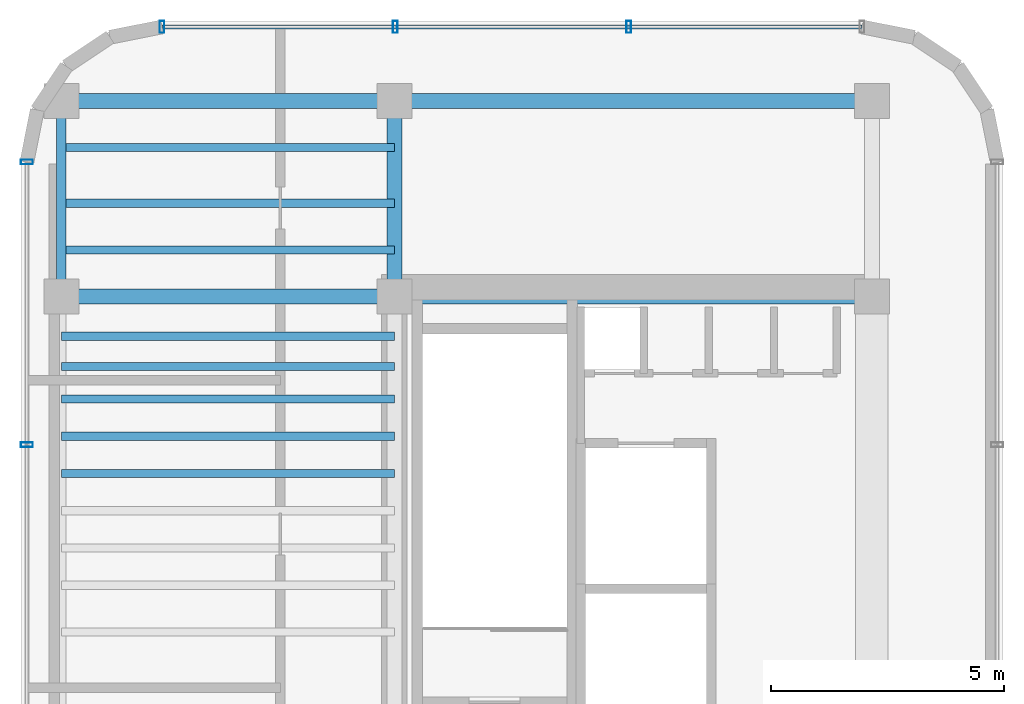
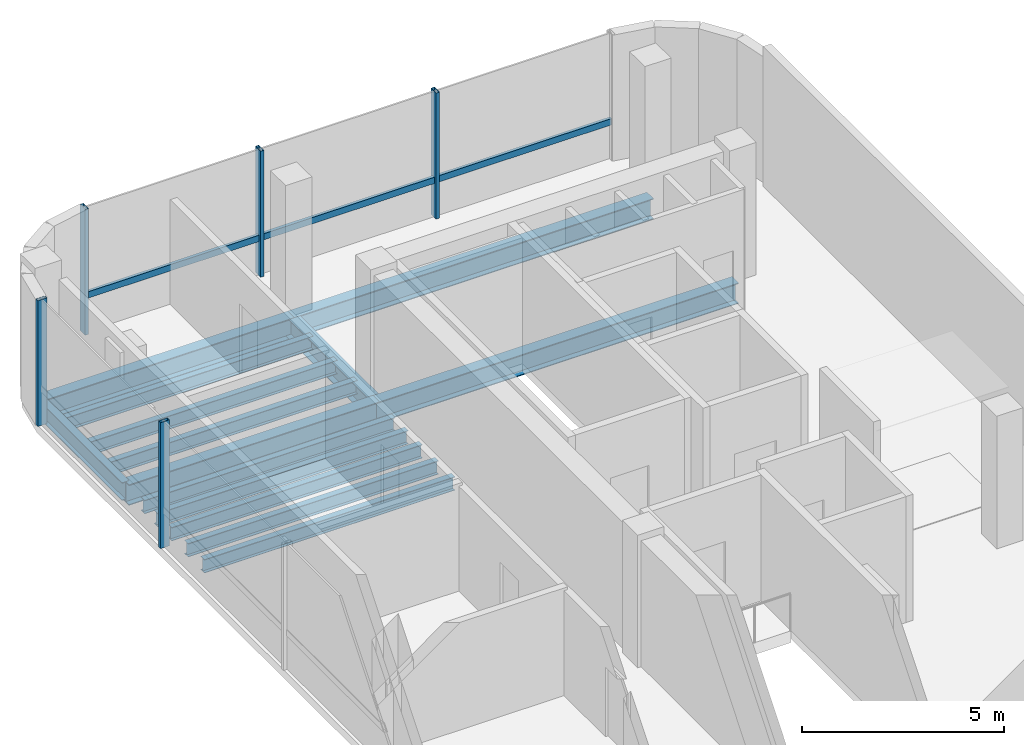
# One storey, part 7 of 11: 14 beams, 6 members, 2 elements without a shape of their own.
"""IFC4 building model written with IfcOpenShell, lengths in metres."""

from ifc_helpers import new_model, si_unit, direction, frame, origin, origin_2d, place, context, subcontext, project, spatial, hollow_rectangle, i_section, extrude, source, transform, mapped, material, material_profile, profile_set, type_object, element, aggregate, save


model = new_model("IFC4")

# Units and contexts
model_context = context("Model", 3, precision=1e-05, world=origin(), true_north=direction((0.0, 1.0)))
body_context = subcontext(model_context, "Body", "Model", "MODEL_VIEW")
ifc_project = project(units=[si_unit("LENGTHUNIT", "METRE"), si_unit("AREAUNIT", "SQUARE_METRE"), si_unit("VOLUMEUNIT", "CUBIC_METRE"), si_unit("PLANEANGLEUNIT", "RADIAN"), si_unit("MASSUNIT", "GRAM", prefix="KILO")], contexts=[model_context])

# Site, building, storey
site_placement = place(None, origin())
site = spatial("IfcSite", under=ifc_project, at=site_placement, CompositionType="ELEMENT")
building_placement = place(site_placement, origin())
building = spatial("IfcBuilding", under=site, at=building_placement, Name="Valdorenza Pilgrim Sanctuary Tower", CompositionType="ELEMENT")
storey_placement = place(building_placement, frame((0.0, 0.0, 303.60009765625)))
storey = spatial("IfcBuildingStorey", under=building, at=storey_placement, Name="L79", CompositionType="ELEMENT", Elevation=303.60009765625)

# Beams
ifc_material_1 = material(Name="Steel ASTM A992 Grade 50", Category="steel")
ifc_material_profile_1 = material_profile(ifc_material_1, i_section(OverallWidth=0.323974609375, OverallDepth=0.611083984375, WebThickness=0.0126953125, FlangeThickness=0.01904296875, at=origin_2d()), Name="W24X104")
ifc_profile_set_1 = profile_set([ifc_material_profile_1], Name="Steel ASTM A992 Grade 50")
beam_type_1 = type_object("IfcBeamType", Name="STR-BM-GRD-W24B", PredefinedType="BEAM", material=ifc_profile_set_1)
shared_shape_1 = source(origin(), body_context, "Body", "SweptSolid", [
    extrude(i_section(OverallWidth=0.323974609375, OverallDepth=0.611083984375, WebThickness=0.0126953125, FlangeThickness=0.01904296875, at=origin_2d()), origin(), (0.0, 0.0, 1.0), 4.199951171875),
])
beam_1_placement = place(storey_placement, frame((-22.64990234375, 10.60009765625, -0.545654296875), z_axis=(0.0, 1.0, 0.0), x_axis=(-1.0, 0.0, 0.0)))
element("IfcBeam", 1, at=beam_1_placement, inside=storey, type_object=beam_type_1, Name="L79 Core Tie Girder CA-W-N1N2", PredefinedType="BEAM", context=body_context, shape_type="MappedRepresentation", body=[
    mapped(shared_shape_1, transform((0.0, 0.0, 0.0), x_axis=(1.0, 0.0, 0.0), y_axis=(0.0, 1.0, 0.0), z_axis=(0.0, 0.0, 1.0), scale=1.0)),
])
ifc_material_profile_2 = material_profile(ifc_material_1, i_section(OverallWidth=0.2109375, OverallDepth=0.5390625, WebThickness=0.01171875, FlangeThickness=0.018798828125, at=origin_2d()), Name="W21X73")
ifc_profile_set_2 = profile_set([ifc_material_profile_2], Name="Steel ASTM A992 Grade 50")
beam_type_2 = type_object("IfcBeamType", Name="STR-BM-SPN-W21B", PredefinedType="SPANDREL", material=ifc_profile_set_2)
shared_shape_2 = source(origin(), body_context, "Body", "SweptSolid", [
    extrude(i_section(OverallWidth=0.2109375, OverallDepth=0.5390625, WebThickness=0.01171875, FlangeThickness=0.018798828125, at=origin_2d()), origin(), (0.0, 0.0, 1.0), 4.199951171875),
])
beam_2_placement = place(storey_placement, frame((-29.800048828125, 10.60009765625, -0.509521484375), z_axis=(0.0, 1.0, 0.0), x_axis=(-1.0, 0.0, 0.0)))
element("IfcBeam", 2, at=beam_2_placement, inside=storey, type_object=beam_type_2, Name="L79 Spandrel Beam WA-W-N1N2", PredefinedType="SPANDREL", context=body_context, shape_type="MappedRepresentation", body=[
    mapped(shared_shape_2, transform((0.0, 0.0, 0.0), x_axis=(1.0, 0.0, 0.0), y_axis=(0.0, 1.0, 0.0), z_axis=(0.0, 0.0, 1.0), scale=1.0)),
])
ifc_material_profile_3 = material_profile(ifc_material_1, i_section(OverallWidth=0.177978515625, OverallDepth=0.406005859375, WebThickness=0.0078125, FlangeThickness=0.0126953125, at=origin_2d()), Name="W16X40")
ifc_profile_set_3 = profile_set([ifc_material_profile_3], Name="Steel ASTM A992 Grade 50")
beam_type_3 = type_object("IfcBeamType", Name="STR-BM-JST-W16", PredefinedType="JOIST", material=ifc_profile_set_3)
shared_shape_3 = source(origin(), body_context, "Body", "SweptSolid", [
    extrude(i_section(OverallWidth=0.177978515625, OverallDepth=0.406005859375, WebThickness=0.0078125, FlangeThickness=0.0126953125, at=origin_2d()), origin(), (0.0, 0.0, 1.0), 7.150146484375),
])
for number, where, z_axis, x_axis, name in (
    (3, (-29.800048828125, 6.800048828125, -0.443115234375), (1.0, 0.0, 0.0), (0.0, 1.0, 0.0), "L79 Composite Floor Joist JST-WA-19"),
    (4, (-29.800048828125, 7.60009765625, -0.443115234375), (1.0, 0.0, 0.0), (0.0, 1.0, 0.0), "L79 Composite Floor Joist JST-WA-20"),
    (5, (-29.800048828125, 8.39990234375, -0.443115234375), (1.0, 0.0, 0.0), (0.0, 1.0, 0.0), "L79 Composite Floor Joist JST-WA-21"),
    (6, (-29.800048828125, 9.10009765625, -0.443115234375), (1.0, 0.0, 0.0), (0.0, 1.0, 0.0), "L79 Composite Floor Joist JST-WA-22"),
    (7, (-29.800048828125, 9.75, -0.443115234375), (1.0, 0.0, 0.0), (0.0, 1.0, 0.0), "L79 Composite Floor Joist JST-WA-23"),
    (8, (-29.800048828125, 11.60009765625, -0.443115234375), (1.0, 0.0, 0.0), (0.0, 1.0, 0.0), "L79 Composite Floor Joist JST-WA-24"),
    (9, (-29.800048828125, 12.60009765625, -0.443115234375), (1.0, 0.0, 0.0), (0.0, 1.0, 0.0), "L79 Composite Floor Joist JST-WA-25"),
    (10, (-29.800048828125, 13.800048828125, -0.443115234375), (1.0, 0.0, 0.0), (0.0, 1.0, 0.0), "L79 Composite Floor Joist JST-WA-26"),
):
    element("IfcBeam", number, at=place(storey_placement, frame(where, z_axis=z_axis, x_axis=x_axis)), inside=storey, type_object=beam_type_3, Name=name, PredefinedType="JOIST", context=body_context, shape_type="MappedRepresentation", body=[
        mapped(shared_shape_3, transform((0.0, 0.0, 0.0), x_axis=(1.0, 0.0, 0.0), y_axis=(0.0, 1.0, 0.0), z_axis=(0.0, 0.0, 1.0), scale=1.0)),
    ])
ifc_material_profile_4 = material_profile(ifc_material_1, i_section(OverallWidth=0.326904296875, OverallDepth=0.6220703125, WebThickness=0.015380859375, FlangeThickness=0.0244140625, at=origin_2d()), Name="W24X131")
ifc_profile_set_4 = profile_set([ifc_material_profile_4], Name="Steel ASTM A992 Grade 50")
beam_type_4 = type_object("IfcBeamType", Name="STR-BM-GRD-W24A", PredefinedType="BEAM", material=ifc_profile_set_4)
shared_shape_4 = source(origin(), body_context, "Body", "SweptSolid", [
    extrude(i_section(OverallWidth=0.326904296875, OverallDepth=0.6220703125, WebThickness=0.015380859375, FlangeThickness=0.0244140625, at=origin_2d()), origin(), (0.0, 0.0, 1.0), 7.150146484375),
])
for number, where, z_axis, x_axis, name in (
    (11, (-29.800048828125, 10.60009765625, -0.551025390625), (1.0, 0.0, 0.0), (0.0, 1.0, 0.0), "L79 Floor Girder WA-XW-N1"),
    (12, (-29.800048828125, 14.800048828125, -0.551025390625), (1.0, 0.0, 0.0), (0.0, 1.0, 0.0), "L79 Floor Girder WA-XW-N2"),
):
    element("IfcBeam", number, at=place(storey_placement, frame(where, z_axis=z_axis, x_axis=x_axis)), inside=storey, type_object=beam_type_4, Name=name, PredefinedType="BEAM", context=body_context, shape_type="MappedRepresentation", body=[
        mapped(shared_shape_4, transform((0.0, 0.0, 0.0), x_axis=(1.0, 0.0, 0.0), y_axis=(0.0, 1.0, 0.0), z_axis=(0.0, 0.0, 1.0), scale=1.0)),
    ])
shared_shape_5 = source(origin(), body_context, "Body", "SweptSolid", [
    extrude(i_section(OverallWidth=0.326904296875, OverallDepth=0.6220703125, WebThickness=0.015380859375, FlangeThickness=0.0244140625, at=origin_2d()), origin(), (0.0, 0.0, 1.0), 10.25),
])
for number, where, z_axis, x_axis, name in (
    (13, (-22.64990234375, 10.60009765625, -0.551025390625), (1.0, 0.0, 0.0), (0.0, 1.0, 0.0), "L79 Floor Girder CA-XC-N1"),
    (14, (-22.64990234375, 14.800048828125, -0.551025390625), (1.0, 0.0, 0.0), (0.0, 1.0, 0.0), "L79 Floor Girder CA-XC-N2"),
):
    element("IfcBeam", number, at=place(storey_placement, frame(where, z_axis=z_axis, x_axis=x_axis)), inside=storey, type_object=beam_type_4, Name=name, PredefinedType="BEAM", context=body_context, shape_type="MappedRepresentation", body=[
        mapped(shared_shape_5, transform((0.0, 0.0, 0.0), x_axis=(1.0, 0.0, 0.0), y_axis=(0.0, 1.0, 0.0), z_axis=(0.0, 0.0, 1.0), scale=1.0)),
    ])

# Curtain wall, member
ifc_material_2 = material(Name="Curtain-wall IGU glazing", Category="glass")
curtain_wall_type = type_object("IfcCurtainWallType", Name="CW-SYS-06", PredefinedType="NOTDEFINED", material=ifc_material_2)
curtain_wall_1_placement = place(storey_placement, origin())
curtain_wall_1 = element("IfcCurtainWall", 15, at=curtain_wall_1_placement, inside=storey, type_object=curtain_wall_type, Name="L79 Curtain Wall CW-L79-1-6", PredefinedType="NOTDEFINED")
ifc_material_3 = material(Name="Anodised aluminium AW-6060", Category="aluminium")
ifc_material_profile_5 = material_profile(ifc_material_3, hollow_rectangle(XDim=0.090087890625, YDim=0.18994140625, WallThickness=0.00439453125, at=origin_2d()), Name="ALU-T 190x90x4.5")
ifc_profile_set_5 = profile_set([ifc_material_profile_5], Name="Anodised aluminium AW-6060")
member_type_1 = type_object("IfcMemberType", Name="CW-TRN-06", PredefinedType="USERDEFINED", material=ifc_profile_set_5)
shared_shape_6 = source(origin(), body_context, "Body", "SweptSolid", [
    extrude(hollow_rectangle(XDim=0.090087890625, YDim=0.18994140625, WallThickness=0.00439453125, at=origin_2d()), origin(), (0.0, 0.0, 1.0), 15.0283203125),
])
member_1_placement = place(storey_placement, frame((-27.63916015625, 16.389892578125, 1.119873046875), z_axis=(1.0, 0.0, 0.0), x_axis=(0.0, 1.0, 0.0)))
member_1 = element("IfcMember", 16, at=member_1_placement, type_object=member_type_1, Name="CW-L79-1-6 Transom 1", ObjectType="TRANSOM", PredefinedType="USERDEFINED", context=body_context, shape_type="MappedRepresentation", body=[
    mapped(shared_shape_6, transform((0.0, 0.0, 0.0), x_axis=(1.0, 0.0, 0.0), y_axis=(0.0, 1.0, 0.0), z_axis=(0.0, 0.0, 1.0), scale=1.0)),
])

# Curtain wall, members
curtain_wall_2_placement = place(storey_placement, origin())
curtain_wall_2 = element("IfcCurtainWall", 17, at=curtain_wall_2_placement, inside=storey, type_object=curtain_wall_type, Name="L79 Curtain Wall CW-L79-1-1", PredefinedType="NOTDEFINED")
ifc_material_profile_6 = material_profile(ifc_material_3, hollow_rectangle(XDim=0.10009765625, YDim=0.260009765625, WallThickness=0.006103515625, at=origin_2d()), Name="ALU-M 260x100x6")
ifc_profile_set_6 = profile_set([ifc_material_profile_6], Name="Anodised aluminium AW-6060")
member_type_2 = type_object("IfcMemberType", Name="CW-MUL-06", PredefinedType="MULLION", material=ifc_profile_set_6)
shared_shape_7 = source(origin(), body_context, "Body", "SweptSolid", [
    extrude(hollow_rectangle(XDim=0.10009765625, YDim=0.260009765625, WallThickness=0.006103515625, at=origin_2d()), origin(), (0.0, 0.0, 1.0), 3.7998046875),
])
member_2_placement = place(storey_placement, frame((-30.5400390625, 7.419677734375, 0.0), z_axis=(0.0, 0.0, 1.0), x_axis=(0.0, 1.0, 0.0)))
member_2 = element("IfcMember", 18, at=member_2_placement, type_object=member_type_2, Name="CW-L79-1-1 Mullion 4", PredefinedType="MULLION", context=body_context, shape_type="MappedRepresentation", body=[
    mapped(shared_shape_7, transform((0.0, 0.0, 0.0), x_axis=(1.0, 0.0, 0.0), y_axis=(0.0, 1.0, 0.0), z_axis=(0.0, 0.0, 1.0), scale=1.0)),
])
member_3_placement = place(storey_placement, frame((-30.5400390625, 13.4892578125, 0.0), z_axis=(0.0, 0.0, 1.0), x_axis=(0.0, 1.0, 0.0)))
member_3 = element("IfcMember", 19, at=member_3_placement, type_object=member_type_2, Name="CW-L79-1-1 Mullion 5", PredefinedType="MULLION", context=body_context, shape_type="MappedRepresentation", body=[
    mapped(shared_shape_7, transform((0.0, 0.0, 0.0), x_axis=(1.0, 0.0, 0.0), y_axis=(0.0, 1.0, 0.0), z_axis=(0.0, 0.0, 1.0), scale=1.0)),
])
aggregate(curtain_wall_2, [member_2, member_3])

# Member
member_4_placement = place(storey_placement, frame((-27.63916015625, 16.389892578125, 0.0), z_axis=(0.0, 0.0, 1.0), x_axis=(1.0, 0.0, 0.0)))
member_4 = element("IfcMember", 20, at=member_4_placement, type_object=member_type_2, Name="CW-L79-1-6 Mullion 1", PredefinedType="MULLION", context=body_context, shape_type="MappedRepresentation", body=[
    mapped(shared_shape_7, transform((0.0, 0.0, 0.0), x_axis=(1.0, 0.0, 0.0), y_axis=(0.0, 1.0, 0.0), z_axis=(0.0, 0.0, 1.0), scale=1.0)),
])

member_5_placement = place(storey_placement, frame((-22.629638671875, 16.389892578125, 0.0), z_axis=(0.0, 0.0, 1.0), x_axis=(1.0, 0.0, 0.0)))
member_5 = element("IfcMember", 21, at=member_5_placement, type_object=member_type_2, Name="CW-L79-1-6 Mullion 2", PredefinedType="MULLION", context=body_context, shape_type="MappedRepresentation", body=[
    mapped(shared_shape_7, transform((0.0, 0.0, 0.0), x_axis=(1.0, 0.0, 0.0), y_axis=(0.0, 1.0, 0.0), z_axis=(0.0, 0.0, 1.0), scale=1.0)),
])

member_6_placement = place(storey_placement, frame((-17.620361328125, 16.389892578125, 0.0), z_axis=(0.0, 0.0, 1.0), x_axis=(1.0, 0.0, 0.0)))
member_6 = element("IfcMember", 22, at=member_6_placement, type_object=member_type_2, Name="CW-L79-1-6 Mullion 3", PredefinedType="MULLION", context=body_context, shape_type="MappedRepresentation", body=[
    mapped(shared_shape_7, transform((0.0, 0.0, 0.0), x_axis=(1.0, 0.0, 0.0), y_axis=(0.0, 1.0, 0.0), z_axis=(0.0, 0.0, 1.0), scale=1.0)),
])

aggregate(curtain_wall_1, [member_4, member_5, member_6, member_1])

save(model, "model.ifc")
